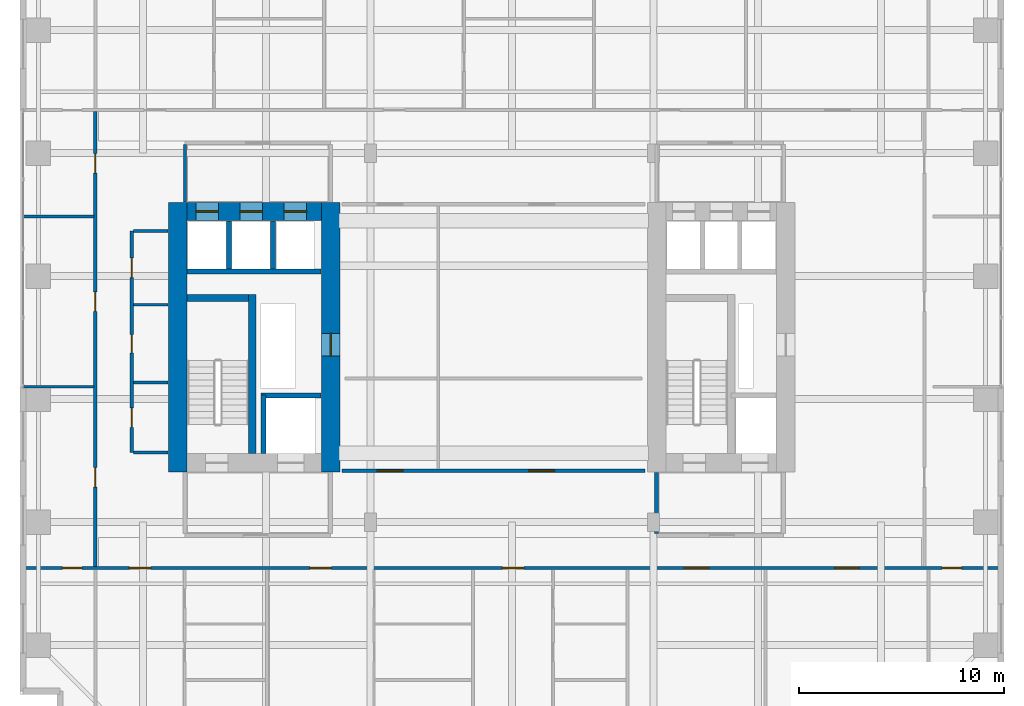
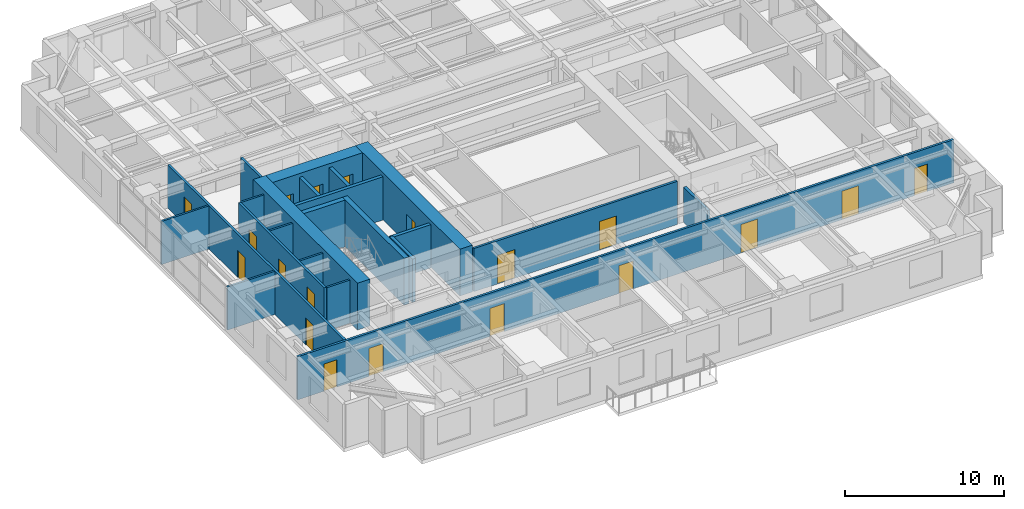
# One storey, part 12 of 19: 22 walls, 19 doors, 19 openings.
"""IFC4 building model written with IfcOpenShell, lengths in metres."""

from ifc_helpers import new_model, si_unit, direction, frame, frame_2d, origin, place, context, subcontext, project, spatial, rectangle, extrude, source, transform, mapped, material, layer, layer_set, type_object, element, fill, save


model = new_model("IFC4")

# Units and contexts
model_context = context("Model", 3, precision=1e-05, world=origin(), true_north=direction((0.0, 1.0)))
body_context = subcontext(model_context, "Body", "Model", "MODEL_VIEW")
ifc_project = project(units=[si_unit("LENGTHUNIT", "METRE"), si_unit("AREAUNIT", "SQUARE_METRE"), si_unit("VOLUMEUNIT", "CUBIC_METRE"), si_unit("PLANEANGLEUNIT", "RADIAN"), si_unit("MASSUNIT", "GRAM", prefix="KILO")], contexts=[model_context])

# Site, building, storey
site_placement = place(None, origin())
site = spatial("IfcSite", under=ifc_project, at=site_placement, CompositionType="ELEMENT")
building_placement = place(site_placement, origin())
building = spatial("IfcBuilding", under=site, at=building_placement, Name="Khoralis Quay Care Tower", CompositionType="ELEMENT")
storey_placement = place(building_placement, frame((0.0, 0.0, 69.300048828125)))
storey = spatial("IfcBuildingStorey", under=building, at=storey_placement, Name="L18", CompositionType="ELEMENT", Elevation=69.300048828125)

# Walls
ifc_material_1 = material(Name="Gypsum plasterboard on acoustic metal stud")
ifc_layer_1 = layer(ifc_material_1, 0.199951171875)
ifc_layer_set_1 = layer_set([ifc_layer_1], Name="Gypsum plasterboard on acoustic metal stud")
wall_type_1 = type_object("IfcWallType", Name="WL-COMP-200", PredefinedType="PARTITIONING", material=ifc_layer_set_1)
wall_1_placement = place(storey_placement, frame((31.050048828125, 11.445068359375, 0.0), z_axis=(0.0, 0.0, 1.0), x_axis=(0.0, 1.0, 0.0)))
element("IfcWall", 1, at=wall_1_placement, inside=storey, type_object=wall_type_1, Name="L18 East Firefighting Lobby West Wall", PredefinedType="PARTITIONING", context=body_context, shape_type="SweptSolid", body=[
    extrude(rectangle(XDim=2.98486328125, YDim=0.199951171875, at=frame_2d((1.492431640625, 0.0))), origin(), (0.0, 0.0, 1.0), 2.703857421875),
])
ifc_material_2 = material(Name="Concrete C80/95", Category="concrete")
ifc_layer_2 = layer(ifc_material_2, 0.89990234375)
ifc_layer_set_2 = layer_set([ifc_layer_2], Name="Concrete C80/95")
wall_type_2 = type_object("IfcWallType", Name="WL-CORE-900", PredefinedType="SHEAR", material=ifc_layer_set_2)
wall_2_placement = place(storey_placement, frame((7.699951171875, 14.449951171875, 0.0), z_axis=(0.0, 0.0, 1.0), x_axis=(0.0, 1.0, 0.0)))
element("IfcWall", 2, at=wall_2_placement, inside=storey, type_object=wall_type_2, Name="L18 WCORE West Shear Wall", PredefinedType="SHEAR", context=body_context, shape_type="SweptSolid", body=[
    extrude(rectangle(XDim=13.150146484375, YDim=0.89990234375, at=frame_2d((6.5751953125, 0.0))), origin(), (0.0, 0.0, 1.0), 3.599853515625),
])

# Wall, opening, door
wall_3_placement = place(storey_placement, frame((15.14990234375, 14.449951171875, 0.0), z_axis=(0.0, 0.0, 1.0), x_axis=(0.0, 1.0, 0.0)))
wall_3 = element("IfcWall", 3, at=wall_3_placement, inside=storey, type_object=wall_type_2, Name="L18 WCORE East Shear Wall", PredefinedType="SHEAR", context=body_context, shape_type="SweptSolid", body=[
    extrude(rectangle(XDim=13.150146484375, YDim=0.89990234375, at=frame_2d((6.5751953125, 0.0))), origin(), (0.0, 0.0, 1.0), 3.599853515625),
])
opening_1_placement = place(wall_3_placement, frame((5.64990234375, 0.0, 0.0)))
opening_1 = element("IfcOpeningElement", 4, at=opening_1_placement, cuts=wall_3, Name="Opening SD1", PredefinedType="OPENING", context=body_context, shape_type="SweptSolid", body=[
    extrude(rectangle(XDim=1.10009765625, YDim=2.199951171875, at=frame_2d((0.550048828125, 1.10009765625))), frame((0.0, 0.4599609375, 0.0), z_axis=(0.0, -1.0, 0.0), x_axis=(1.0, 0.0, 0.0)), (0.0, 0.0, 1.0), 0.919921875),
])
ifc_material_3 = material(Name="Fire-rated painted steel", Category="steel")
door_type_1 = type_object("IfcDoorType", Name="DR-STAIR-1100X2200", OperationType="NOTDEFINED", PredefinedType="DOOR", material=ifc_material_3)
shared_shape_1 = source(origin(), body_context, "Body", "SweptSolid", [
    extrude(rectangle(XDim=1.10009765625, YDim=2.199951171875, at=frame_2d((0.550048828125, 1.10009765625))), frame((0.0, 0.02490234375, 0.0), z_axis=(0.0, -1.0, 0.0), x_axis=(1.0, 0.0, 0.0)), (0.0, 0.0, 1.0), 0.050048828125),
])
door_1_placement = place(opening_1_placement, origin())
door_1 = element("IfcDoor", 5, at=door_1_placement, inside=storey, type_object=door_type_1, Name="L18 West MEP Riser Door", OperationType="SINGLE_SWING_RIGHT", OverallHeight=2.199951171875, OverallWidth=1.10009765625, PredefinedType="DOOR", context=body_context, shape_type="MappedRepresentation", body=[
    mapped(shared_shape_1, transform((0.0, 0.0, 0.0), scale=1.0)),
])
fill(opening_1, door_1)

# Wall, openings, doors
wall_4_placement = place(storey_placement, frame((8.14990234375, 27.14990234375, 0.0), z_axis=(0.0, 0.0, 1.0), x_axis=(1.0, 0.0, 0.0)))
wall_4 = element("IfcWall", 6, at=wall_4_placement, inside=storey, type_object=wall_type_2, Name="L18 WCORE North Shear Wall", PredefinedType="SHEAR", context=body_context, shape_type="SweptSolid", body=[
    extrude(rectangle(XDim=6.550048828125, YDim=0.89990234375, at=frame_2d((3.27490234375, 0.0))), origin(), (0.0, 0.0, 1.0), 3.599853515625),
])
opening_2_placement = place(wall_4_placement, frame((0.429931640625, 0.0, 0.0)))
opening_2 = element("IfcOpeningElement", 7, at=opening_2_placement, cuts=wall_4, Name="Opening LD1", PredefinedType="OPENING", context=body_context, shape_type="SweptSolid", body=[
    extrude(rectangle(XDim=1.10009765625, YDim=2.199951171875, at=frame_2d((0.550048828125, 1.10009765625))), frame((0.0, 0.4599609375, 0.0), z_axis=(0.0, -1.0, 0.0), x_axis=(1.0, 0.0, 0.0)), (0.0, 0.0, 1.0), 0.919921875),
])
opening_3_placement = place(wall_4_placement, frame((2.570068359375, 0.0, 0.0)))
opening_3 = element("IfcOpeningElement", 8, at=opening_3_placement, cuts=wall_4, Name="Opening LD1", PredefinedType="OPENING", context=body_context, shape_type="SweptSolid", body=[
    extrude(rectangle(XDim=1.10009765625, YDim=2.199951171875, at=frame_2d((0.550048828125, 1.10009765625))), frame((0.0, 0.4599609375, 0.0), z_axis=(0.0, -1.0, 0.0), x_axis=(1.0, 0.0, 0.0)), (0.0, 0.0, 1.0), 0.919921875),
])
opening_4_placement = place(wall_4_placement, frame((4.72998046875, 0.0, 0.0)))
opening_4 = element("IfcOpeningElement", 9, at=opening_4_placement, cuts=wall_4, Name="Opening LD1", PredefinedType="OPENING", context=body_context, shape_type="SweptSolid", body=[
    extrude(rectangle(XDim=1.10009765625, YDim=2.199951171875, at=frame_2d((0.550048828125, 1.10009765625))), frame((0.0, 0.4599609375, 0.0), z_axis=(0.0, -1.0, 0.0), x_axis=(1.0, 0.0, 0.0)), (0.0, 0.0, 1.0), 0.919921875),
])
ifc_material_4 = material(Name="Brushed stainless steel", Category="steel")
door_type_2 = type_object("IfcDoorType", Name="DR-LIFT-1100X2200", OperationType="SLIDING_TO_LEFT", PredefinedType="DOOR", material=ifc_material_4)
shared_shape_2 = source(origin(), body_context, "Body", "SweptSolid", [
    extrude(rectangle(XDim=1.10009765625, YDim=2.199951171875, at=frame_2d((0.550048828125, 1.10009765625))), frame((0.0, 0.02490234375, 0.0), z_axis=(0.0, -1.0, 0.0), x_axis=(1.0, 0.0, 0.0)), (0.0, 0.0, 1.0), 0.050048828125),
])
door_2_placement = place(opening_2_placement, origin())
door_2 = element("IfcDoor", 10, at=door_2_placement, inside=storey, type_object=door_type_2, Name="L18 Lift PLL1 Landing Door", OperationType="SLIDING_TO_LEFT", OverallHeight=2.199951171875, OverallWidth=1.10009765625, PredefinedType="DOOR", context=body_context, shape_type="MappedRepresentation", body=[
    mapped(shared_shape_2, transform((0.0, 0.0, 0.0), scale=1.0)),
])
fill(opening_2, door_2)
door_3_placement = place(opening_3_placement, origin())
door_3 = element("IfcDoor", 11, at=door_3_placement, inside=storey, type_object=door_type_2, Name="L18 Lift PLM1 Landing Door", OperationType="SLIDING_TO_LEFT", OverallHeight=2.199951171875, OverallWidth=1.10009765625, PredefinedType="DOOR", context=body_context, shape_type="MappedRepresentation", body=[
    mapped(shared_shape_2, transform((0.0, 0.0, 0.0), scale=1.0)),
])
fill(opening_3, door_3)
door_4_placement = place(opening_4_placement, origin())
door_4 = element("IfcDoor", 12, at=door_4_placement, inside=storey, type_object=door_type_2, Name="L18 Lift PLH1 Landing Door", OperationType="SLIDING_TO_LEFT", OverallHeight=2.199951171875, OverallWidth=1.10009765625, PredefinedType="DOOR", context=body_context, shape_type="MappedRepresentation", body=[
    mapped(shared_shape_2, transform((0.0, 0.0, 0.0), scale=1.0)),
])
fill(opening_4, door_4)

# Wall
ifc_layer_3 = layer(ifc_material_1, 0.1650390625)
ifc_layer_set_3 = layer_set([ifc_layer_3], Name="Gypsum plasterboard on acoustic metal stud")
wall_type_3 = type_object("IfcWallType", Name="WL-CORR-165", PredefinedType="PARTITIONING", material=ifc_layer_set_3)
wall_5_placement = place(storey_placement, frame((8.050048828125, 27.6201171875, 0.0), z_axis=(0.0, 0.0, 1.0), x_axis=(0.0, 1.0, 0.0)))
element("IfcWall", 13, at=wall_5_placement, inside=storey, type_object=wall_type_3, Name="L18 West Lift Lobby West Wall", PredefinedType="PARTITIONING", context=body_context, shape_type="SweptSolid", body=[
    extrude(rectangle(XDim=2.802490234375, YDim=0.1650390625, at=frame_2d((1.4013671875, 0.0))), origin(), (0.0, 0.0, 1.0), 3.320068359375),
])

# Wall, openings, doors
wall_6_placement = place(storey_placement, frame((5.449951171875, 15.39990234375, 0.0), z_axis=(0.0, 0.0, 1.0), x_axis=(0.0, 1.0, 0.0)))
wall_6 = element("IfcWall", 14, at=wall_6_placement, inside=storey, type_object=wall_type_3, Name="L18 West Core Service Flank Wall", PredefinedType="PARTITIONING", context=body_context, shape_type="SweptSolid", body=[
    extrude(rectangle(XDim=10.800048828125, YDim=0.1650390625, at=frame_2d((5.39990234375, 0.0))), origin(), (0.0, 0.0, 1.0), 3.320068359375),
])
opening_5_placement = place(wall_6_placement, frame((1.22509765625, 0.0, 0.0)))
opening_5 = element("IfcOpeningElement", 15, at=opening_5_placement, cuts=wall_6, Name="Opening ID1", PredefinedType="OPENING", context=body_context, shape_type="SweptSolid", body=[
    extrude(rectangle(XDim=0.949951171875, YDim=2.10009765625, at=frame_2d((0.47509765625, 1.050048828125))), frame((0.0, 0.092529296875, 0.0), z_axis=(0.0, -1.0, 0.0), x_axis=(1.0, 0.0, 0.0)), (0.0, 0.0, 1.0), 0.18505859375),
])
opening_6_placement = place(wall_6_placement, frame((4.85009765625, 0.0, 0.0)))
opening_6 = element("IfcOpeningElement", 16, at=opening_6_placement, cuts=wall_6, Name="Opening WD1", PredefinedType="OPENING", context=body_context, shape_type="SweptSolid", body=[
    extrude(rectangle(XDim=0.89990234375, YDim=2.10009765625, at=frame_2d((0.449951171875, 1.050048828125))), frame((0.0, 0.092529296875, 0.0), z_axis=(0.0, -1.0, 0.0), x_axis=(1.0, 0.0, 0.0)), (0.0, 0.0, 1.0), 0.18505859375),
])
opening_7_placement = place(wall_6_placement, frame((8.52490234375, 0.0, 0.0)))
opening_7 = element("IfcOpeningElement", 17, at=opening_7_placement, cuts=wall_6, Name="Opening ID1", PredefinedType="OPENING", context=body_context, shape_type="SweptSolid", body=[
    extrude(rectangle(XDim=0.949951171875, YDim=2.10009765625, at=frame_2d((0.47509765625, 1.050048828125))), frame((0.0, 0.092529296875, 0.0), z_axis=(0.0, -1.0, 0.0), x_axis=(1.0, 0.0, 0.0)), (0.0, 0.0, 1.0), 0.18505859375),
])
ifc_material_5 = material(Name="Acoustic hardwood timber", Category="wood")
door_type_3 = type_object("IfcDoorType", Name="DR-BATH-900X2100", OperationType="NOTDEFINED", PredefinedType="DOOR", material=ifc_material_5)
shared_shape_3 = source(origin(), body_context, "Body", "SweptSolid", [
    extrude(rectangle(XDim=0.89990234375, YDim=2.10009765625, at=frame_2d((0.449951171875, 1.050048828125))), frame((0.0, 0.02490234375, 0.0), z_axis=(0.0, -1.0, 0.0), x_axis=(1.0, 0.0, 0.0)), (0.0, 0.0, 1.0), 0.050048828125),
])
door_5_placement = place(opening_6_placement, frame((0.89990234375, 0.0, 0.0), z_axis=(0.0, 0.0, 1.0), x_axis=(-1.0, 0.0, 0.0)))
door_5 = element("IfcDoor", 18, at=door_5_placement, inside=storey, type_object=door_type_3, Name="L18 Public Accessible WC Door", OperationType="SINGLE_SWING_RIGHT", OverallHeight=2.10009765625, OverallWidth=0.89990234375, PredefinedType="DOOR", context=body_context, shape_type="MappedRepresentation", body=[
    mapped(shared_shape_3, transform((0.0, 0.0, 0.0), scale=1.0)),
])
fill(opening_6, door_5)
door_type_4 = type_object("IfcDoorType", Name="DR-ROOM-950X2100", OperationType="NOTDEFINED", PredefinedType="DOOR", material=ifc_material_5)
shared_shape_4 = source(origin(), body_context, "Body", "SweptSolid", [
    extrude(rectangle(XDim=0.949951171875, YDim=2.10009765625, at=frame_2d((0.47509765625, 1.050048828125))), frame((0.0, 0.02490234375, 0.0), z_axis=(0.0, -1.0, 0.0), x_axis=(1.0, 0.0, 0.0)), (0.0, 0.0, 1.0), 0.050048828125),
])
door_6_placement = place(opening_5_placement, frame((0.949951171875, 0.0, 0.0), z_axis=(0.0, 0.0, 1.0), x_axis=(-1.0, 0.0, 0.0)))
door_6 = element("IfcDoor", 19, at=door_6_placement, inside=storey, type_object=door_type_4, Name="L18 Clean Utility Store Door", OperationType="SINGLE_SWING_LEFT", OverallHeight=2.10009765625, OverallWidth=0.949951171875, PredefinedType="DOOR", context=body_context, shape_type="MappedRepresentation", body=[
    mapped(shared_shape_4, transform((0.0, 0.0, 0.0), scale=1.0)),
])
fill(opening_5, door_6)
door_7_placement = place(opening_7_placement, frame((0.949951171875, 0.0, 0.0), z_axis=(0.0, 0.0, 1.0), x_axis=(-1.0, 0.0, 0.0)))
door_7 = element("IfcDoor", 20, at=door_7_placement, inside=storey, type_object=door_type_4, Name="L18 Electrical Switchboard Room Door", OperationType="SINGLE_SWING_LEFT", OverallHeight=2.10009765625, OverallWidth=0.949951171875, PredefinedType="DOOR", context=body_context, shape_type="MappedRepresentation", body=[
    mapped(shared_shape_4, transform((0.0, 0.0, 0.0), scale=1.0)),
])
fill(opening_7, door_7)

wall_7_placement = place(storey_placement, frame((0.14501953125, 9.760009765625, 0.0), z_axis=(0.0, 0.0, 1.0), x_axis=(1.0, 0.0, 0.0)))
wall_7 = element("IfcWall", 21, at=wall_7_placement, inside=storey, type_object=wall_type_3, Name="L18 South Main Corridor Wall", PredefinedType="PARTITIONING", context=body_context, shape_type="SweptSolid", body=[
    extrude(rectangle(XDim=47.7099609375, YDim=0.1650390625, at=frame_2d((23.85498046875, 0.0))), origin(), (0.0, 0.0, 1.0), 3.320068359375),
])
opening_8_placement = place(wall_7_placement, frame((5.18603515625, 0.0, 0.0)))
opening_8 = element("IfcOpeningElement", 22, at=opening_8_placement, cuts=wall_7, Name="Opening UD1", PredefinedType="OPENING", context=body_context, shape_type="SweptSolid", body=[
    extrude(rectangle(XDim=1.050048828125, YDim=2.14990234375, at=frame_2d((0.52490234375, 1.074951171875))), frame((0.0, 0.092529296875, 0.0), z_axis=(0.0, -1.0, 0.0), x_axis=(1.0, 0.0, 0.0)), (0.0, 0.0, 1.0), 0.18505859375),
])
opening_9_placement = place(wall_7_placement, frame((13.990478515625, 0.0, 0.0)))
opening_9 = element("IfcOpeningElement", 23, at=opening_9_placement, cuts=wall_7, Name="Opening UD1", PredefinedType="OPENING", context=body_context, shape_type="SweptSolid", body=[
    extrude(rectangle(XDim=1.050048828125, YDim=2.14990234375, at=frame_2d((0.52490234375, 1.074951171875))), frame((0.0, 0.092529296875, 0.0), z_axis=(0.0, -1.0, 0.0), x_axis=(1.0, 0.0, 0.0)), (0.0, 0.0, 1.0), 0.18505859375),
])
opening_10_placement = place(wall_7_placement, frame((23.380615234375, 0.0, 0.0)))
opening_10 = element("IfcOpeningElement", 24, at=opening_10_placement, cuts=wall_7, Name="Opening UD1", PredefinedType="OPENING", context=body_context, shape_type="SweptSolid", body=[
    extrude(rectangle(XDim=1.050048828125, YDim=2.14990234375, at=frame_2d((0.52490234375, 1.074951171875))), frame((0.0, 0.092529296875, 0.0), z_axis=(0.0, -1.0, 0.0), x_axis=(1.0, 0.0, 0.0)), (0.0, 0.0, 1.0), 0.18505859375),
])
opening_11_placement = place(wall_7_placement, frame((32.2548828125, 0.0, 0.0)))
opening_11 = element("IfcOpeningElement", 25, at=opening_11_placement, cuts=wall_7, Name="Opening FD1", PredefinedType="OPENING", context=body_context, shape_type="SweptSolid", body=[
    extrude(rectangle(XDim=1.199951171875, YDim=2.199951171875, at=frame_2d((0.60009765625, 1.10009765625))), frame((0.0, 0.092529296875, 0.0), z_axis=(0.0, -1.0, 0.0), x_axis=(1.0, 0.0, 0.0)), (0.0, 0.0, 1.0), 0.18505859375),
])
opening_12_placement = place(wall_7_placement, frame((39.60009765625, 0.0, 0.0)))
opening_12 = element("IfcOpeningElement", 26, at=opening_12_placement, cuts=wall_7, Name="Opening FD1", PredefinedType="OPENING", context=body_context, shape_type="SweptSolid", body=[
    extrude(rectangle(XDim=1.199951171875, YDim=2.199951171875, at=frame_2d((0.60009765625, 1.10009765625))), frame((0.0, 0.092529296875, 0.0), z_axis=(0.0, -1.0, 0.0), x_axis=(1.0, 0.0, 0.0)), (0.0, 0.0, 1.0), 0.18505859375),
])
opening_13_placement = place(wall_7_placement, frame((1.919921875, 0.0, 0.0)))
opening_13 = element("IfcOpeningElement", 27, at=opening_13_placement, cuts=wall_7, Name="Opening ID1", PredefinedType="OPENING", context=body_context, shape_type="SweptSolid", body=[
    extrude(rectangle(XDim=0.949951171875, YDim=2.10009765625, at=frame_2d((0.47509765625, 1.050048828125))), frame((0.0, 0.092529296875, 0.0), z_axis=(0.0, -1.0, 0.0), x_axis=(1.0, 0.0, 0.0)), (0.0, 0.0, 1.0), 0.18505859375),
])
opening_14_placement = place(wall_7_placement, frame((44.840087890625, 0.0, 0.0)))
opening_14 = element("IfcOpeningElement", 28, at=opening_14_placement, cuts=wall_7, Name="Opening ID1", PredefinedType="OPENING", context=body_context, shape_type="SweptSolid", body=[
    extrude(rectangle(XDim=0.949951171875, YDim=2.10009765625, at=frame_2d((0.47509765625, 1.050048828125))), frame((0.0, 0.092529296875, 0.0), z_axis=(0.0, -1.0, 0.0), x_axis=(1.0, 0.0, 0.0)), (0.0, 0.0, 1.0), 0.18505859375),
])
door_type_5 = type_object("IfcDoorType", Name="DR-FFL-1200X2200", OperationType="NOTDEFINED", PredefinedType="DOOR", material=ifc_material_3)
shared_shape_5 = source(origin(), body_context, "Body", "SweptSolid", [
    extrude(rectangle(XDim=1.199951171875, YDim=2.199951171875, at=frame_2d((0.60009765625, 1.10009765625))), frame((0.0, 0.02490234375, 0.0), z_axis=(0.0, -1.0, 0.0), x_axis=(1.0, 0.0, 0.0)), (0.0, 0.0, 1.0), 0.050048828125),
])
door_8_placement = place(opening_11_placement, frame((1.199951171875, 0.0, 0.0), z_axis=(0.0, 0.0, 1.0), x_axis=(-1.0, 0.0, 0.0)))
door_8 = element("IfcDoor", 29, at=door_8_placement, inside=storey, type_object=door_type_5, Name="L18 Senior Wellness Pharmacy Shop Door", OperationType="DOUBLE_DOOR_SINGLE_SWING", OverallHeight=2.199951171875, OverallWidth=1.199951171875, PredefinedType="DOOR", context=body_context, shape_type="MappedRepresentation", body=[
    mapped(shared_shape_5, transform((0.0, 0.0, 0.0), scale=1.0)),
])
fill(opening_11, door_8)
door_9_placement = place(opening_12_placement, frame((1.199951171875, 0.0, 0.0), z_axis=(0.0, 0.0, 1.0), x_axis=(-1.0, 0.0, 0.0)))
door_9 = element("IfcDoor", 30, at=door_9_placement, inside=storey, type_object=door_type_5, Name="L18 Assisted Communal Dining Room Door", OperationType="DOUBLE_DOOR_SINGLE_SWING", OverallHeight=2.199951171875, OverallWidth=1.199951171875, PredefinedType="DOOR", context=body_context, shape_type="MappedRepresentation", body=[
    mapped(shared_shape_5, transform((0.0, 0.0, 0.0), scale=1.0)),
])
fill(opening_12, door_9)
door_10_placement = place(opening_13_placement, frame((0.949951171875, 0.0, 0.0), z_axis=(0.0, 0.0, 1.0), x_axis=(-1.0, 0.0, 0.0)))
door_10 = element("IfcDoor", 31, at=door_10_placement, inside=storey, type_object=door_type_4, Name="L18 SW Corner Door", OperationType="SINGLE_SWING_LEFT", OverallHeight=2.10009765625, OverallWidth=0.949951171875, PredefinedType="DOOR", context=body_context, shape_type="MappedRepresentation", body=[
    mapped(shared_shape_4, transform((0.0, 0.0, 0.0), scale=1.0)),
])
fill(opening_13, door_10)
door_11_placement = place(opening_14_placement, frame((0.949951171875, 0.0, 0.0), z_axis=(0.0, 0.0, 1.0), x_axis=(-1.0, 0.0, 0.0)))
door_11 = element("IfcDoor", 32, at=door_11_placement, inside=storey, type_object=door_type_4, Name="L18 SE Corner Door", OperationType="SINGLE_SWING_RIGHT", OverallHeight=2.10009765625, OverallWidth=0.949951171875, PredefinedType="DOOR", context=body_context, shape_type="MappedRepresentation", body=[
    mapped(shared_shape_4, transform((0.0, 0.0, 0.0), scale=1.0)),
])
fill(opening_14, door_11)
door_type_6 = type_object("IfcDoorType", Name="DR-SUITE-1050X2150", OperationType="NOTDEFINED", PredefinedType="DOOR", material=ifc_material_5)
shared_shape_6 = source(origin(), body_context, "Body", "SweptSolid", [
    extrude(rectangle(XDim=1.050048828125, YDim=2.14990234375, at=frame_2d((0.52490234375, 1.074951171875))), frame((0.0, 0.02490234375, 0.0), z_axis=(0.0, -1.0, 0.0), x_axis=(1.0, 0.0, 0.0)), (0.0, 0.0, 1.0), 0.050048828125),
])
door_12_placement = place(opening_8_placement, frame((1.050048828125, 0.0, 0.0), z_axis=(0.0, 0.0, 1.0), x_axis=(-1.0, 0.0, 0.0)))
door_12 = element("IfcDoor", 33, at=door_12_placement, inside=storey, type_object=door_type_6, Name="L18 Apartment SB0 Entrance Door", OperationType="SINGLE_SWING_RIGHT", OverallHeight=2.14990234375, OverallWidth=1.050048828125, PredefinedType="DOOR", context=body_context, shape_type="MappedRepresentation", body=[
    mapped(shared_shape_6, transform((0.0, 0.0, 0.0), scale=1.0)),
])
fill(opening_8, door_12)
door_13_placement = place(opening_9_placement, frame((1.050048828125, 0.0, 0.0), z_axis=(0.0, 0.0, 1.0), x_axis=(-1.0, 0.0, 0.0)))
door_13 = element("IfcDoor", 34, at=door_13_placement, inside=storey, type_object=door_type_6, Name="L18 Apartment SB1 Entrance Door", OperationType="SINGLE_SWING_LEFT", OverallHeight=2.14990234375, OverallWidth=1.050048828125, PredefinedType="DOOR", context=body_context, shape_type="MappedRepresentation", body=[
    mapped(shared_shape_6, transform((0.0, 0.0, 0.0), scale=1.0)),
])
fill(opening_9, door_13)
door_14_placement = place(opening_10_placement, frame((1.050048828125, 0.0, 0.0), z_axis=(0.0, 0.0, 1.0), x_axis=(-1.0, 0.0, 0.0)))
door_14 = element("IfcDoor", 35, at=door_14_placement, inside=storey, type_object=door_type_6, Name="L18 Apartment SB2 Entrance Door", OperationType="SINGLE_SWING_RIGHT", OverallHeight=2.14990234375, OverallWidth=1.050048828125, PredefinedType="DOOR", context=body_context, shape_type="MappedRepresentation", body=[
    mapped(shared_shape_6, transform((0.0, 0.0, 0.0), scale=1.0)),
])
fill(opening_10, door_14)

wall_8_placement = place(storey_placement, frame((3.679931640625, 9.83740234375, 0.0), z_axis=(0.0, 0.0, 1.0), x_axis=(0.0, 1.0, 0.0)))
wall_8 = element("IfcWall", 36, at=wall_8_placement, inside=storey, type_object=wall_type_3, Name="L18 West Loop Corridor Wall", PredefinedType="PARTITIONING", context=body_context, shape_type="SweptSolid", body=[
    extrude(rectangle(XDim=22.18505859375, YDim=0.1650390625, at=frame_2d((11.092529296875, 0.0))), origin(), (0.0, 0.0, 1.0), 3.320068359375),
])
opening_15_placement = place(wall_8_placement, frame((3.867431640625, 0.0, 0.0)))
opening_15 = element("IfcOpeningElement", 37, at=opening_15_placement, cuts=wall_8, Name="Opening ID1", PredefinedType="OPENING", context=body_context, shape_type="SweptSolid", body=[
    extrude(rectangle(XDim=0.949951171875, YDim=2.10009765625, at=frame_2d((0.47509765625, 1.050048828125))), frame((0.0, 0.092529296875, 0.0), z_axis=(0.0, -1.0, 0.0), x_axis=(1.0, 0.0, 0.0)), (0.0, 0.0, 1.0), 0.18505859375),
])
opening_16_placement = place(wall_8_placement, frame((12.4375, 0.0, 0.0)))
opening_16 = element("IfcOpeningElement", 38, at=opening_16_placement, cuts=wall_8, Name="Opening ID1", PredefinedType="OPENING", context=body_context, shape_type="SweptSolid", body=[
    extrude(rectangle(XDim=0.949951171875, YDim=2.10009765625, at=frame_2d((0.47509765625, 1.050048828125))), frame((0.0, 0.092529296875, 0.0), z_axis=(0.0, -1.0, 0.0), x_axis=(1.0, 0.0, 0.0)), (0.0, 0.0, 1.0), 0.18505859375),
])
opening_17_placement = place(wall_8_placement, frame((19.1875, 0.0, 0.0)))
opening_17 = element("IfcOpeningElement", 39, at=opening_17_placement, cuts=wall_8, Name="Opening ID1", PredefinedType="OPENING", context=body_context, shape_type="SweptSolid", body=[
    extrude(rectangle(XDim=0.949951171875, YDim=2.10009765625, at=frame_2d((0.47509765625, 1.050048828125))), frame((0.0, 0.092529296875, 0.0), z_axis=(0.0, -1.0, 0.0), x_axis=(1.0, 0.0, 0.0)), (0.0, 0.0, 1.0), 0.18505859375),
])
door_15_placement = place(opening_15_placement, origin())
door_15 = element("IfcDoor", 40, at=door_15_placement, inside=storey, type_object=door_type_4, Name="L18 Therapy Consultation Room Door", OperationType="SINGLE_SWING_LEFT", OverallHeight=2.10009765625, OverallWidth=0.949951171875, PredefinedType="DOOR", context=body_context, shape_type="MappedRepresentation", body=[
    mapped(shared_shape_4, transform((0.0, 0.0, 0.0), scale=1.0)),
])
fill(opening_15, door_15)
door_16_placement = place(opening_16_placement, origin())
door_16 = element("IfcDoor", 41, at=door_16_placement, inside=storey, type_object=door_type_4, Name="L18 Assisted Activity Lounge Door", OperationType="SINGLE_SWING_RIGHT", OverallHeight=2.10009765625, OverallWidth=0.949951171875, PredefinedType="DOOR", context=body_context, shape_type="MappedRepresentation", body=[
    mapped(shared_shape_4, transform((0.0, 0.0, 0.0), scale=1.0)),
])
fill(opening_16, door_16)
door_17_placement = place(opening_17_placement, origin())
door_17 = element("IfcDoor", 42, at=door_17_placement, inside=storey, type_object=door_type_4, Name="L18 Nurse Charting Office Door", OperationType="SINGLE_SWING_LEFT", OverallHeight=2.10009765625, OverallWidth=0.949951171875, PredefinedType="DOOR", context=body_context, shape_type="MappedRepresentation", body=[
    mapped(shared_shape_4, transform((0.0, 0.0, 0.0), scale=1.0)),
])
fill(opening_17, door_17)

wall_9_placement = place(storey_placement, frame((15.699951171875, 14.5, 0.0), z_axis=(0.0, 0.0, 1.0), x_axis=(1.0, 0.0, 0.0)))
wall_9 = element("IfcWall", 43, at=wall_9_placement, inside=storey, type_object=wall_type_3, Name="L18 Central Clinical South Wall", PredefinedType="PARTITIONING", context=body_context, shape_type="SweptSolid", body=[
    extrude(rectangle(XDim=14.800048828125, YDim=0.1650390625, at=frame_2d((7.39990234375, 0.0))), origin(), (0.0, 0.0, 1.0), 3.320068359375),
])
opening_18_placement = place(wall_9_placement, frame((1.72509765625, 0.0, 0.0)))
opening_18 = element("IfcOpeningElement", 44, at=opening_18_placement, cuts=wall_9, Name="Opening CD1", PredefinedType="OPENING", context=body_context, shape_type="SweptSolid", body=[
    extrude(rectangle(XDim=1.25, YDim=2.199951171875, at=frame_2d((0.625, 1.10009765625))), frame((0.0, 0.092529296875, 0.0), z_axis=(0.0, -1.0, 0.0), x_axis=(1.0, 0.0, 0.0)), (0.0, 0.0, 1.0), 0.18505859375),
])
opening_19_placement = place(wall_9_placement, frame((9.125, 0.0, 0.0)))
opening_19 = element("IfcOpeningElement", 45, at=opening_19_placement, cuts=wall_9, Name="Opening CD1", PredefinedType="OPENING", context=body_context, shape_type="SweptSolid", body=[
    extrude(rectangle(XDim=1.25, YDim=2.199951171875, at=frame_2d((0.625, 1.10009765625))), frame((0.0, 0.092529296875, 0.0), z_axis=(0.0, -1.0, 0.0), x_axis=(1.0, 0.0, 0.0)), (0.0, 0.0, 1.0), 0.18505859375),
])
door_type_7 = type_object("IfcDoorType", Name="DR-CARE-1250X2200", OperationType="NOTDEFINED", PredefinedType="DOOR", material=ifc_material_5)
shared_shape_7 = source(origin(), body_context, "Body", "SweptSolid", [
    extrude(rectangle(XDim=1.25, YDim=2.199951171875, at=frame_2d((0.625, 1.10009765625))), frame((0.0, 0.02490234375, 0.0), z_axis=(0.0, -1.0, 0.0), x_axis=(1.0, 0.0, 0.0)), (0.0, 0.0, 1.0), 0.050048828125),
])
door_18_placement = place(opening_18_placement, origin())
door_18 = element("IfcDoor", 46, at=door_18_placement, inside=storey, type_object=door_type_7, Name="L18 Nurse Station Door", OperationType="SINGLE_SWING_LEFT", OverallHeight=2.199951171875, OverallWidth=1.25, PredefinedType="DOOR", context=body_context, shape_type="MappedRepresentation", body=[
    mapped(shared_shape_7, transform((0.0, 0.0, 0.0), scale=1.0)),
])
fill(opening_18, door_18)
door_19_placement = place(opening_19_placement, origin())
door_19 = element("IfcDoor", 47, at=door_19_placement, inside=storey, type_object=door_type_7, Name="L18 Treatment Clinic Door", OperationType="SINGLE_SWING_RIGHT", OverallHeight=2.199951171875, OverallWidth=1.25, PredefinedType="DOOR", context=body_context, shape_type="MappedRepresentation", body=[
    mapped(shared_shape_7, transform((0.0, 0.0, 0.0), scale=1.0)),
])
fill(opening_19, door_19)

# Walls
ifc_material_6 = material(Name="Moisture-resistant gypsum and ceramic tile")
ifc_layer_4 = layer(ifc_material_6, 0.280029296875)
ifc_layer_set_4 = layer_set([ifc_layer_4], Name="Moisture-resistant gypsum and ceramic tile")
wall_type_4 = type_object("IfcWallType", Name="WL-PLUMB-280", PredefinedType="PLUMBINGWALL", material=ifc_layer_set_4)
wall_10_placement = place(storey_placement, frame((5.527587890625, 18.800048828125, 0.0), z_axis=(0.0, 0.0, 1.0), x_axis=(1.0, 0.0, 0.0)))
element("IfcWall", 48, at=wall_10_placement, inside=storey, type_object=wall_type_4, Name="L18 West Flank Divider 1", PredefinedType="PLUMBINGWALL", context=body_context, shape_type="SweptSolid", body=[
    extrude(rectangle(XDim=1.682373046875, YDim=0.139892578125, at=frame_2d((0.84130859375, 0.0))), origin(), (0.0, 0.0, 1.0), 3.320068359375),
])
ifc_material_7 = material(Name="Concrete C40/50", Category="concrete")
ifc_layer_5 = layer(ifc_material_7, 0.35009765625)
ifc_layer_set_5 = layer_set([ifc_layer_5], Name="Concrete C40/50")
wall_type_5 = type_object("IfcWallType", Name="WL-SC-CORE-350", PredefinedType="SHEAR", material=ifc_layer_set_5)
wall_11_placement = place(storey_placement, frame((11.324951171875, 15.35009765625, 0.0), z_axis=(0.0, 0.0, 1.0), x_axis=(0.0, 1.0, 0.0)))
element("IfcWall", 49, at=wall_11_placement, inside=storey, type_object=wall_type_5, Name="L18 Stair ST-T1 Shear Baffle Wall East", PredefinedType="SHEAR", context=body_context, shape_type="SweptSolid", body=[
    extrude(rectangle(XDim=7.75, YDim=0.35009765625, at=frame_2d((3.875, 0.0))), origin(), (0.0, 0.0, 1.0), 3.599853515625),
])
wall_12_placement = place(storey_placement, frame((8.14990234375, 22.925048828125, 0.0), z_axis=(0.0, 0.0, 1.0), x_axis=(1.0, 0.0, 0.0)))
element("IfcWall", 50, at=wall_12_placement, inside=storey, type_object=wall_type_5, Name="L18 Stair ST-T1 Shear Baffle Wall North", PredefinedType="SHEAR", context=body_context, shape_type="SweptSolid", body=[
    extrude(rectangle(XDim=3.0, YDim=0.35009765625, at=frame_2d((1.5, 0.0))), origin(), (0.0, 0.0, 1.0), 3.599853515625),
])
ifc_layer_6 = layer(ifc_material_1, 0.239990234375)
ifc_layer_set_6 = layer_set([ifc_layer_6], Name="Gypsum plasterboard on acoustic metal stud")
wall_type_6 = type_object("IfcWallType", Name="WL-SHAFT-240", PredefinedType="PARTITIONING", material=ifc_layer_set_6)
wall_13_placement = place(storey_placement, frame((11.8798828125, 15.35009765625, 0.0), z_axis=(0.0, 0.0, 1.0), x_axis=(0.0, 1.0, 0.0)))
element("IfcWall", 51, at=wall_13_placement, inside=storey, type_object=wall_type_6, Name="L18 FFL-1 Shaft Wall West", PredefinedType="PARTITIONING", context=body_context, shape_type="SweptSolid", body=[
    extrude(rectangle(XDim=2.849853515625, YDim=0.239990234375, at=frame_2d((1.4248046875, 0.0))), origin(), (0.0, 0.0, 1.0), 3.320068359375),
])
wall_14_placement = place(storey_placement, frame((11.760009765625, 18.169921875, 0.0), z_axis=(0.0, 0.0, 1.0), x_axis=(1.0, 0.0, 0.0)))
element("IfcWall", 52, at=wall_14_placement, inside=storey, type_object=wall_type_6, Name="L18 FFL-1 Shaft Wall North", PredefinedType="PARTITIONING", context=body_context, shape_type="SweptSolid", body=[
    extrude(rectangle(XDim=2.919921875, YDim=0.239990234375, at=frame_2d((1.4599609375, 0.0))), origin(), (0.0, 0.0, 1.0), 3.320068359375),
])
wall_15_placement = place(storey_placement, frame((8.14990234375, 24.22998046875, 0.0), z_axis=(0.0, 0.0, 1.0), x_axis=(1.0, 0.0, 0.0)))
element("IfcWall", 53, at=wall_15_placement, inside=storey, type_object=wall_type_6, Name="L18 West Passenger Shaft South Wall", PredefinedType="PARTITIONING", context=body_context, shape_type="SweptSolid", body=[
    extrude(rectangle(XDim=6.530029296875, YDim=0.239990234375, at=frame_2d((3.26513671875, 0.0))), origin(), (0.0, 0.0, 1.0), 3.320068359375),
])
for number, where, z_axis, x_axis, name in (
    (54, (10.199951171875, 24.344970703125, 0.0), (0.0, 0.0, 1.0), (0.0, 1.0, 0.0), "L18 West Shaft Divider 1"),
    (55, (12.35009765625, 24.344970703125, 0.0), (0.0, 0.0, 1.0), (0.0, 1.0, 0.0), "L18 West Shaft Divider 2"),
):
    element("IfcWall", number, at=place(storey_placement, frame(where, z_axis=z_axis, x_axis=x_axis)), inside=storey, type_object=wall_type_6, Name=name, PredefinedType="PARTITIONING", context=body_context, shape_type="SweptSolid", body=[
        extrude(rectangle(XDim=2.3349609375, YDim=0.239990234375, at=frame_2d((1.16748046875, 0.0))), origin(), (0.0, 0.0, 1.0), 3.320068359375),
    ])
ifc_layer_7 = layer(ifc_material_1, 0.139892578125)
ifc_layer_set_7 = layer_set([ifc_layer_7], Name="Gypsum plasterboard on acoustic metal stud")
wall_type_7 = type_object("IfcWallType", Name="WL-UNIT-140", PredefinedType="PARTITIONING", material=ifc_layer_set_7)
for number, where, z_axis, x_axis, name in (
    (56, (5.527587890625, 15.39990234375, 0.0), (0.0, 0.0, 1.0), (1.0, 0.0, 0.0), "L18 West Flank South Cap"),
    (57, (5.527587890625, 26.199951171875, 0.0), (0.0, 0.0, 1.0), (1.0, 0.0, 0.0), "L18 West Flank North Cap"),
    (58, (5.527587890625, 22.60009765625, 0.0), (0.0, 0.0, 1.0), (1.0, 0.0, 0.0), "L18 West Flank Divider 2"),
):
    element("IfcWall", number, at=place(storey_placement, frame(where, z_axis=z_axis, x_axis=x_axis)), inside=storey, type_object=wall_type_7, Name=name, PredefinedType="PARTITIONING", context=body_context, shape_type="SweptSolid", body=[
        extrude(rectangle(XDim=1.682373046875, YDim=0.139892578125, at=frame_2d((0.84130859375, 0.0))), origin(), (0.0, 0.0, 1.0), 3.320068359375),
    ])
for number, where, z_axis, x_axis, name in (
    (59, (0.14501953125, 18.60009765625, 0.0), (0.0, 0.0, 1.0), (1.0, 0.0, 0.0), "L18 WW Divider 1"),
    (60, (0.14501953125, 26.89990234375, 0.0), (0.0, 0.0, 1.0), (1.0, 0.0, 0.0), "L18 WW Divider 2"),
):
    element("IfcWall", number, at=place(storey_placement, frame(where, z_axis=z_axis, x_axis=x_axis)), inside=storey, type_object=wall_type_7, Name=name, PredefinedType="PARTITIONING", context=body_context, shape_type="SweptSolid", body=[
        extrude(rectangle(XDim=3.45751953125, YDim=0.139892578125, at=frame_2d((1.728759765625, 0.0))), origin(), (0.0, 0.0, 1.0), 3.320068359375),
    ])

save(model, "model.ifc")
